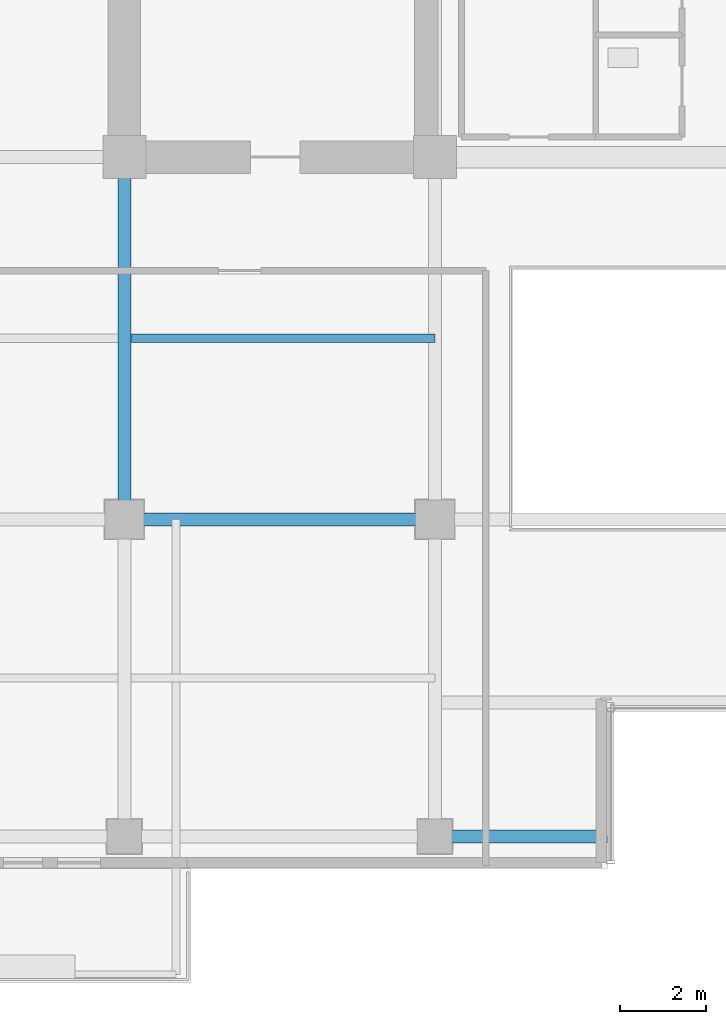
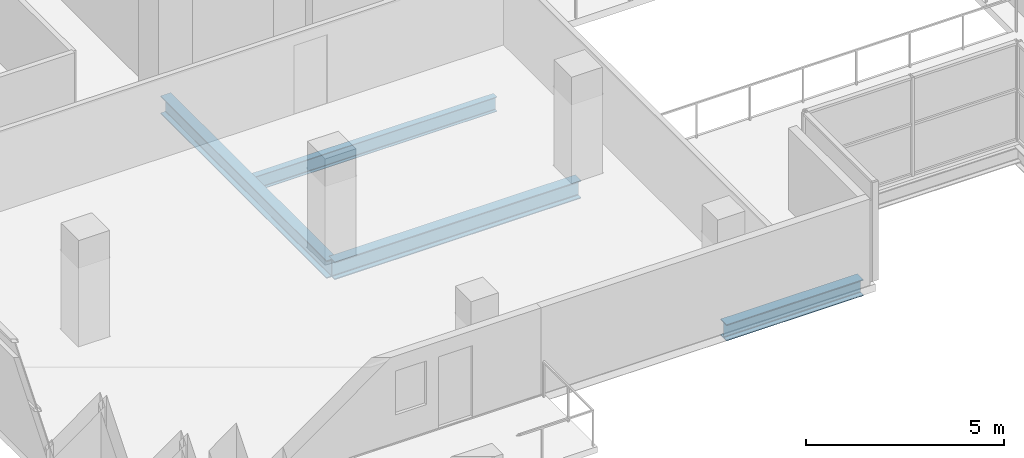
# One storey, part 5 of 24: 4 beams.
"""IFC4 building model written with IfcOpenShell, lengths in metres."""

from ifc_helpers import new_model, si_unit, direction, frame, origin, origin_2d, place, context, subcontext, project, spatial, i_section, extrude, material, material_profile, profile_set, type_object, element, save


model = new_model("IFC4")

# Units and contexts
model_context = context("Model", 3, precision=1e-05, world=origin(), true_north=direction((0.0, 1.0)))
body_context = subcontext(model_context, "Body", "Model", "MODEL_VIEW")
ifc_project = project(units=[si_unit("LENGTHUNIT", "METRE"), si_unit("AREAUNIT", "SQUARE_METRE"), si_unit("VOLUMEUNIT", "CUBIC_METRE"), si_unit("PLANEANGLEUNIT", "RADIAN"), si_unit("MASSUNIT", "GRAM", prefix="KILO")], contexts=[model_context])

# Site, building, storey
site_placement = place(None, origin())
site = spatial("IfcSite", under=ifc_project, at=site_placement, CompositionType="ELEMENT")
building_placement = place(site_placement, origin())
building = spatial("IfcBuilding", under=site, at=building_placement, Name="Zarnakvel Exchange Tower", CompositionType="ELEMENT")
storey_placement = place(building_placement, frame((0.0, 0.0, 133.0)))
storey = spatial("IfcBuildingStorey", under=building, at=storey_placement, Name="L37", CompositionType="ELEMENT", Elevation=133.0)

# Beams
ifc_material = material(Name="Steel S355", Category="steel")
ifc_material_profile_1 = material_profile(ifc_material, i_section(OverallWidth=0.18994140625, OverallDepth=0.449951171875, WebThickness=0.009521484375, FlangeThickness=0.0146484375, FilletRadius=0.02099609375, at=origin_2d()))
ifc_profile_set_1 = profile_set([ifc_material_profile_1], Name="Steel S355")
beam_type_1 = type_object("IfcBeamType", Name="B-05", PredefinedType="JOIST", material=ifc_profile_set_1)
beam_1_placement = place(storey_placement, frame((-14.25, -5.39990234375, -0.449951171875), z_axis=(1.0, 0.0, 0.0), x_axis=(0.0, 1.0, 0.0)))
element("IfcBeam", 1, at=beam_1_placement, inside=storey, type_object=beam_type_1, Name="L37 Composite Floor Secondary Joist", PredefinedType="JOIST", context=body_context, shape_type="SweptSolid", body=[
    extrude(i_section(OverallWidth=0.18994140625, OverallDepth=0.449951171875, WebThickness=0.009521484375, FlangeThickness=0.0146484375, FilletRadius=0.02099609375, at=origin_2d()), origin(), (0.0, 0.0, 1.0), 7.050048828125),
])
ifc_material_profile_2 = material_profile(ifc_material, i_section(OverallWidth=0.300048828125, OverallDepth=0.550048828125, WebThickness=0.014892578125, FlangeThickness=0.029052734375, FilletRadius=0.027099609375, at=origin_2d()))
ifc_profile_set_2 = profile_set([ifc_material_profile_2], Name="Steel S355")
beam_type_2 = type_object("IfcBeamType", Name="G-05", PredefinedType="BEAM", material=ifc_profile_set_2)
beam_2_placement = place(storey_placement, frame((-14.39990234375, -9.60009765625, -0.5), z_axis=(1.0, 0.0, 0.0), x_axis=(0.0, 1.0, 0.0)))
element("IfcBeam", 2, at=beam_2_placement, inside=storey, type_object=beam_type_2, Name="L37 Tower E-W Frame Beam", PredefinedType="BEAM", context=body_context, shape_type="SweptSolid", body=[
    extrude(i_section(OverallWidth=0.300048828125, OverallDepth=0.550048828125, WebThickness=0.014892578125, FlangeThickness=0.029052734375, FilletRadius=0.027099609375, at=origin_2d()), origin(), (0.0, 0.0, 1.0), 7.199951171875),
])
beam_3_placement = place(storey_placement, frame((-14.39990234375, -9.60009765625, -0.5), z_axis=(0.0, 1.0, 0.0), x_axis=(-1.0, 0.0, 0.0)))
element("IfcBeam", 3, at=beam_3_placement, inside=storey, type_object=beam_type_2, Name="L37 Tower N-S Frame Beam", PredefinedType="BEAM", context=body_context, shape_type="SweptSolid", body=[
    extrude(i_section(OverallWidth=0.300048828125, OverallDepth=0.550048828125, WebThickness=0.014892578125, FlangeThickness=0.029052734375, FilletRadius=0.027099609375, at=origin_2d()), origin(), (0.0, 0.0, 1.0), 8.400146484375),
])
ifc_material_profile_3 = material_profile(ifc_material, i_section(OverallWidth=0.300048828125, OverallDepth=0.5, WebThickness=0.014404296875, FlangeThickness=0.028076171875, FilletRadius=0.027099609375, at=origin_2d()))
ifc_profile_set_3 = profile_set([ifc_material_profile_3], Name="Steel S355")
beam_type_3 = type_object("IfcBeamType", Name="SP-02", PredefinedType="SPANDREL", material=ifc_profile_set_3)
beam_4_placement = place(storey_placement, frame((-7.199951171875, -16.949951171875, -0.47509765625), z_axis=(1.0, 0.0, 0.0), x_axis=(0.0, 1.0, 0.0)))
element("IfcBeam", 4, at=beam_4_placement, inside=storey, type_object=beam_type_3, Name="L37 South Slot West Jamb Spandrel", PredefinedType="SPANDREL", context=body_context, shape_type="SweptSolid", body=[
    extrude(i_section(OverallWidth=0.300048828125, OverallDepth=0.5, WebThickness=0.014404296875, FlangeThickness=0.028076171875, FilletRadius=0.027099609375, at=origin_2d()), origin(), (0.0, 0.0, 1.0), 4.0),
])

save(model, "model.ifc")
